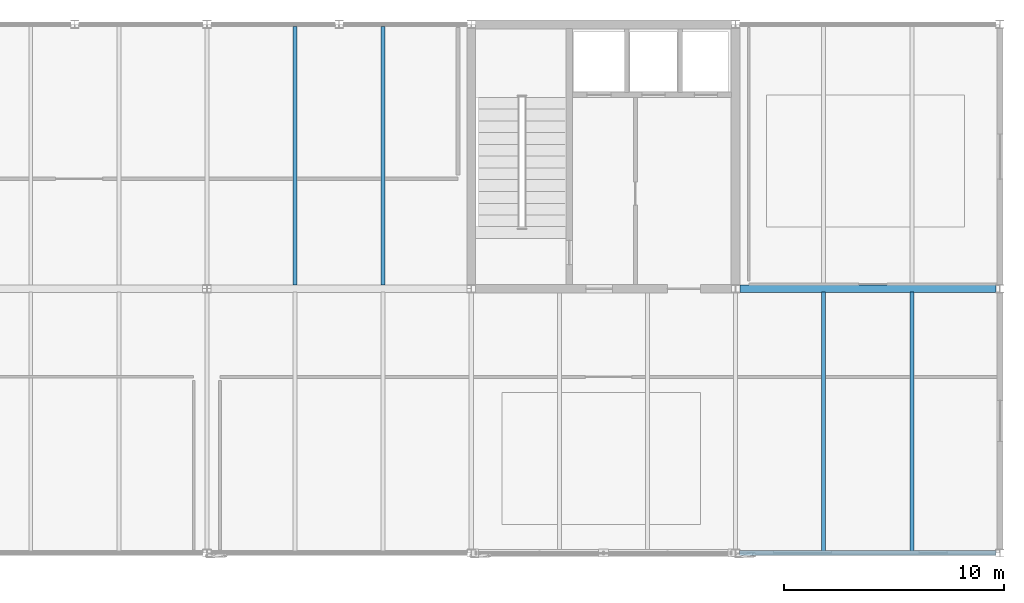
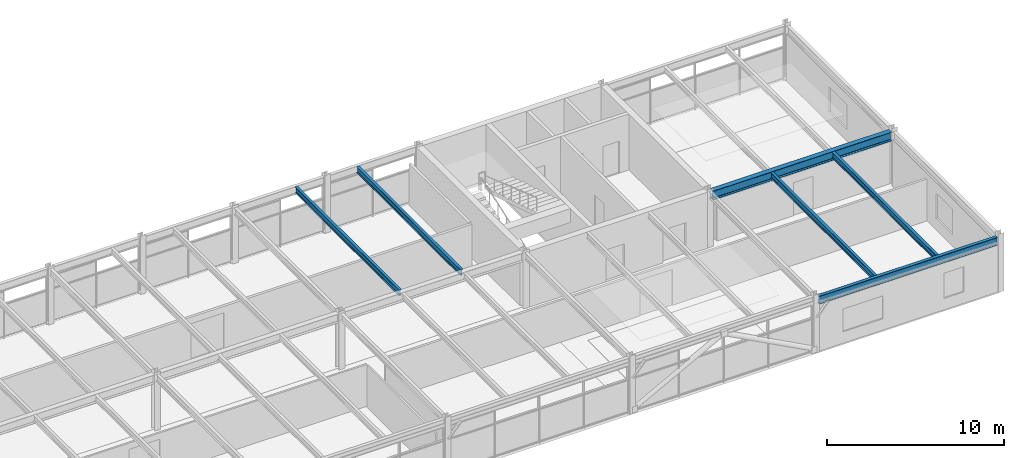
# One storey, part 30 of 40: 6 beams.
"""IFC4 building model written with IfcOpenShell, lengths in metres."""

from ifc_helpers import new_model, si_unit, direction, frame, origin, origin_2d, place, context, subcontext, project, spatial, i_section, extrude, material, material_profile, profile_set, type_object, element, save


model = new_model("IFC4")

# Units and contexts
model_context = context("Model", 3, precision=1e-05, world=origin(), true_north=direction((0.0, 1.0)))
body_context = subcontext(model_context, "Body", "Model", "MODEL_VIEW")
ifc_project = project(units=[si_unit("LENGTHUNIT", "METRE"), si_unit("AREAUNIT", "SQUARE_METRE"), si_unit("VOLUMEUNIT", "CUBIC_METRE"), si_unit("PLANEANGLEUNIT", "RADIAN"), si_unit("MASSUNIT", "GRAM", prefix="KILO")], contexts=[model_context])

# Site, building, storey
site_placement = place(None, origin())
site = spatial("IfcSite", under=ifc_project, at=site_placement, CompositionType="ELEMENT")
building_placement = place(site_placement, origin())
building = spatial("IfcBuilding", under=site, at=building_placement, Name="Girod Span Mobility Hub", CompositionType="ELEMENT")
storey_placement = place(building_placement, frame((0.0, 0.0, 57.60009765625)))
storey = spatial("IfcBuildingStorey", under=building, at=storey_placement, Name="L14", CompositionType="ELEMENT", Elevation=57.60009765625)

# Beams
ifc_material_1 = material(Name="Steel A992 Grade 50", Category="steel")
ifc_material_profile_1 = material_profile(ifc_material_1, i_section(OverallWidth=0.178955078125, OverallDepth=0.409912109375, WebThickness=0.0087890625, FlangeThickness=0.014404296875, FilletRadius=0.012939453125, at=origin_2d()), Name="W16X45")
ifc_profile_set_1 = profile_set([ifc_material_profile_1], Name="Steel A992 Grade 50")
beam_type_1 = type_object("IfcBeamType", Name="BM-STL-W16X45", PredefinedType="BEAM", material=ifc_profile_set_1)
for number, where, z_axis, x_axis, name in (
    (1, (100.0, 57.158935546875, 3.64501953125), (0.0, 1.0, 0.0), (-1.0, 0.0, 0.0), "Composite Floorbeam 9/E-1 L14"),
    (2, (104.0, 57.158935546875, 3.64501953125), (0.0, 1.0, 0.0), (-1.0, 0.0, 0.0), "Composite Floorbeam 9/E-2 L14"),
    (3, (124.0, 45.10302734375, 3.554931640625), (0.0, 1.0, 0.0), (-1.0, 0.0, 0.0), "Composite Floorbeam 11/D-1 L14"),
    (4, (128.0, 45.10302734375, 3.554931640625), (0.0, 1.0, 0.0), (-1.0, 0.0, 0.0), "Composite Floorbeam 11/D-2 L14"),
):
    element("IfcBeam", number, at=place(storey_placement, frame(where, z_axis=z_axis, x_axis=x_axis)), inside=storey, type_object=beam_type_1, Name=name, PredefinedType="BEAM", context=body_context, shape_type="SweptSolid", body=[
        extrude(i_section(OverallWidth=0.178955078125, OverallDepth=0.409912109375, WebThickness=0.0087890625, FlangeThickness=0.014404296875, FilletRadius=0.012939453125, at=origin_2d()), origin(), (0.0, 0.0, 1.0), 11.738037109375),
    ])
ifc_material_2 = material(Name="Steel A992 Grade 50", Category="steel")
ifc_material_profile_2 = material_profile(ifc_material_2, i_section(OverallWidth=0.2119140625, OverallDepth=0.5439453125, WebThickness=0.01318359375, FlangeThickness=0.021240234375, FilletRadius=0.014892578125, at=origin_2d()), Name="W21X83")
ifc_profile_set_2 = profile_set([ifc_material_profile_2], Name="Steel A992 Grade 50")
beam_type_2 = type_object("IfcBeamType", Name="BM-STL-W21X83", PredefinedType="SPANDREL", material=ifc_profile_set_2)
beam_1_placement = place(storey_placement, frame((120.181396484375, 45.0, 3.48779296875), z_axis=(1.0, 0.0, 0.0), x_axis=(0.0, 1.0, 0.0)))
element("IfcBeam", 5, at=beam_1_placement, inside=storey, type_object=beam_type_2, Name="Girder 11-12/D L14", PredefinedType="SPANDREL", context=body_context, shape_type="SweptSolid", body=[
    extrude(i_section(OverallWidth=0.2119140625, OverallDepth=0.5439453125, WebThickness=0.01318359375, FlangeThickness=0.021240234375, FilletRadius=0.014892578125, at=origin_2d()), origin(), (0.0, 0.0, 1.0), 11.63720703125),
])
ifc_material_3 = material(Name="Steel A992 Grade 50", Category="steel")
ifc_material_profile_3 = material_profile(ifc_material_3, i_section(OverallWidth=0.323974609375, OverallDepth=0.611083984375, WebThickness=0.0126953125, FlangeThickness=0.01904296875, FilletRadius=0.014892578125, at=origin_2d()), Name="W24X104")
ifc_profile_set_3 = profile_set([ifc_material_profile_3], Name="Steel A992 Grade 50")
beam_type_3 = type_object("IfcBeamType", Name="BM-STL-W24X104", PredefinedType="BEAM", material=ifc_profile_set_3)
beam_2_placement = place(storey_placement, frame((120.194091796875, 57.0, 3.454345703125), z_axis=(1.0, 0.0, 0.0), x_axis=(0.0, 1.0, 0.0)))
element("IfcBeam", 6, at=beam_2_placement, inside=storey, type_object=beam_type_3, Name="Girder 11-12/E L14", PredefinedType="BEAM", context=body_context, shape_type="SweptSolid", body=[
    extrude(i_section(OverallWidth=0.323974609375, OverallDepth=0.611083984375, WebThickness=0.0126953125, FlangeThickness=0.01904296875, FilletRadius=0.014892578125, at=origin_2d()), origin(), (0.0, 0.0, 1.0), 11.62451171875),
])

save(model, "model.ifc")
